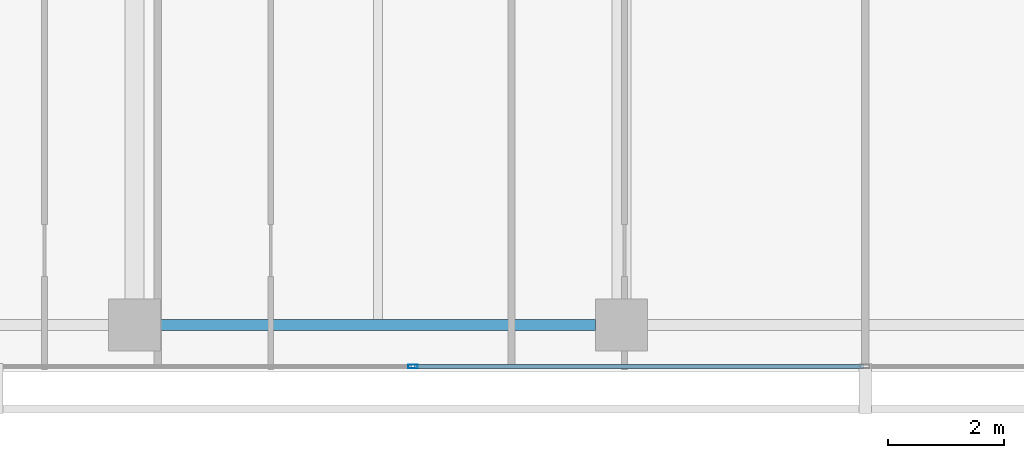
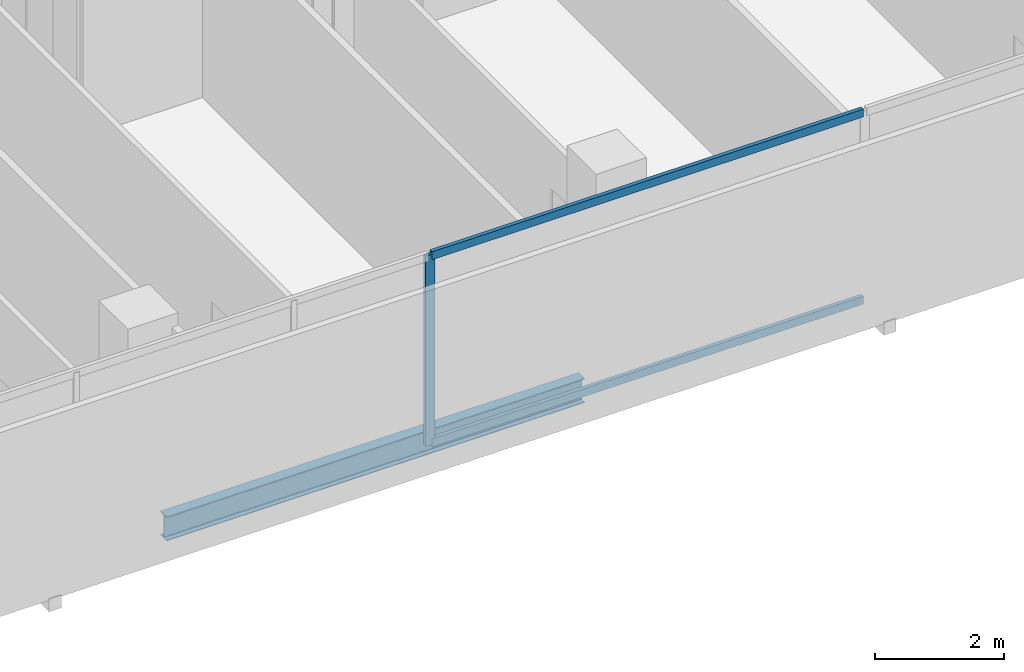
# One storey, part 7 of 40: 3 members, 1 beam, 1 element without a shape of its own.
"""IFC4 building model written with IfcOpenShell, lengths in metres."""

from ifc_helpers import new_model, si_unit, direction, frame, origin, origin_2d, place, context, subcontext, project, spatial, hollow_rectangle, i_section, extrude, material, layer, layer_set, material_profile, profile_set, type_object, element, aggregate, save


model = new_model("IFC4")

# Units and contexts
model_context = context("Model", 3, precision=1e-05, world=origin(), true_north=direction((0.0, 1.0)))
body_context = subcontext(model_context, "Body", "Model", "MODEL_VIEW")
ifc_project = project(units=[si_unit("LENGTHUNIT", "METRE"), si_unit("AREAUNIT", "SQUARE_METRE"), si_unit("VOLUMEUNIT", "CUBIC_METRE"), si_unit("PLANEANGLEUNIT", "RADIAN"), si_unit("MASSUNIT", "GRAM", prefix="KILO")], contexts=[model_context])

# Site, building, storey
site_placement = place(None, origin())
site = spatial("IfcSite", under=ifc_project, at=site_placement, CompositionType="ELEMENT")
building_placement = place(site_placement, origin())
building = spatial("IfcBuilding", under=site, at=building_placement, Name="Maruvema Waterfront Hotel and Observation Tower", CompositionType="ELEMENT")
storey_placement = place(building_placement, frame((0.0, 0.0, 30.800048828125)))
storey = spatial("IfcBuildingStorey", under=building, at=storey_placement, Name="L06", CompositionType="ELEMENT", Elevation=30.800048828125)

# Curtain wall, members
ifc_material_1 = material(Name="Anodised bronze aluminium and solar-control low-E IGU", Category="aluminium")
ifc_layer = layer(ifc_material_1, 0.159912109375, Name="Zone 1 Bronze Inner Thermal Curtain Wall System CW-02")
ifc_layer_set = layer_set([ifc_layer], Name="Anodised bronze aluminium and solar-control low-E IGU")
curtain_wall_type = type_object("IfcCurtainWallType", Name="Zone 1 Bronze Inner Thermal Curtain Wall System CW-02", PredefinedType="USERDEFINED", material=ifc_layer_set)
curtain_wall_placement = place(storey_placement, origin())
curtain_wall = element("IfcCurtainWall", 1, at=curtain_wall_placement, inside=storey, type_object=curtain_wall_type, Name="L06 Curtain Wall CW-L06-S", ObjectType="UNITISED CURTAIN WALL", PredefinedType="USERDEFINED")
ifc_material_2 = material(Name="Anodised architectural bronze aluminium", Category="aluminium")
ifc_material_profile_1 = material_profile(ifc_material_2, hollow_rectangle(XDim=0.070068359375, YDim=0.14990234375, WallThickness=0.00390625, at=origin_2d()), Name="ALU-T70x150")
ifc_profile_set_1 = profile_set([ifc_material_profile_1], Name="Anodised architectural bronze aluminium")
member_type_1 = type_object("IfcMemberType", Name="Curtain Wall Horizontal Transom ALU-T70x150", PredefinedType="USERDEFINED", material=ifc_profile_set_1)
member_1_placement = place(storey_placement, frame((30.030029296875, 0.080078125, 0.030029296875), z_axis=(1.0, 0.0, 0.0), x_axis=(0.0, 1.0, 0.0)))
member_1 = element("IfcMember", 2, at=member_1_placement, type_object=member_type_1, Name="CW-02 transom 3.1", ObjectType="TRANSOM", PredefinedType="USERDEFINED", context=body_context, shape_type="SweptSolid", body=[
    extrude(hollow_rectangle(XDim=0.070068359375, YDim=0.14990234375, WallThickness=0.00390625, at=origin_2d()), origin(), (0.0, 0.0, 1.0), 7.739990234375),
])
member_2_placement = place(storey_placement, frame((30.030029296875, 0.080078125, 3.579833984375), z_axis=(1.0, 0.0, 0.0), x_axis=(0.0, 1.0, 0.0)))
member_2 = element("IfcMember", 3, at=member_2_placement, type_object=member_type_1, Name="CW-02 transom 3.2", ObjectType="TRANSOM", PredefinedType="USERDEFINED", context=body_context, shape_type="SweptSolid", body=[
    extrude(hollow_rectangle(XDim=0.070068359375, YDim=0.14990234375, WallThickness=0.00390625, at=origin_2d()), origin(), (0.0, 0.0, 1.0), 7.739990234375),
])
ifc_material_3 = material(Name="Anodised architectural bronze aluminium", Category="aluminium")
ifc_material_profile_2 = material_profile(ifc_material_3, hollow_rectangle(XDim=0.06494140625, YDim=0.1650390625, WallThickness=0.00390625, at=origin_2d()), Name="ALU-M65x165")
ifc_profile_set_2 = profile_set([ifc_material_profile_2], Name="Anodised architectural bronze aluminium")
member_type_2 = type_object("IfcMemberType", Name="Curtain Wall Primary Mullion ALU-M65x165", PredefinedType="MULLION", material=ifc_profile_set_2)
member_3_placement = place(storey_placement, frame((30.0, 0.080078125, 0.0), z_axis=(0.0, 0.0, 1.0), x_axis=(0.0, 1.0, 0.0)))
member_3 = element("IfcMember", 4, at=member_3_placement, type_object=member_type_2, Name="CW-02 mullion 3", PredefinedType="MULLION", context=body_context, shape_type="SweptSolid", body=[
    extrude(hollow_rectangle(XDim=0.06494140625, YDim=0.1650390625, WallThickness=0.00390625, at=origin_2d()), origin(), (0.0, 0.0, 1.0), 3.60986328125),
])
aggregate(curtain_wall, [member_3, member_1, member_2])

# Beam
ifc_material_4 = material(Name="Steel ASTM A572 Grade 50", Category="steel")
ifc_material_profile_3 = material_profile(ifc_material_4, i_section(OverallWidth=0.18994140625, OverallDepth=0.45703125, WebThickness=0.009033203125, FlangeThickness=0.014404296875, FilletRadius=0.014892578125, at=origin_2d()), Name="W460x74.0")
ifc_profile_set_3 = profile_set([ifc_material_profile_3], Name="Steel ASTM A572 Grade 50")
beam_type = type_object("IfcBeamType", Name="Perimeter Spandrel Beam W460x74.0", PredefinedType="SPANDREL", material=ifc_profile_set_3)
beam_placement = place(storey_placement, frame((25.64990234375, 0.800048828125, -0.468505859375), z_axis=(1.0, 0.0, 0.0), x_axis=(0.0, 1.0, 0.0)))
element("IfcBeam", 5, at=beam_placement, inside=storey, type_object=beam_type, Name="L06 Floor Girder EW-02", PredefinedType="SPANDREL", context=body_context, shape_type="SweptSolid", body=[
    extrude(i_section(OverallWidth=0.18994140625, OverallDepth=0.45703125, WebThickness=0.009033203125, FlangeThickness=0.014404296875, FilletRadius=0.014892578125, at=origin_2d()), origin(), (0.0, 0.0, 1.0), 7.5),
])

save(model, "model.ifc")
